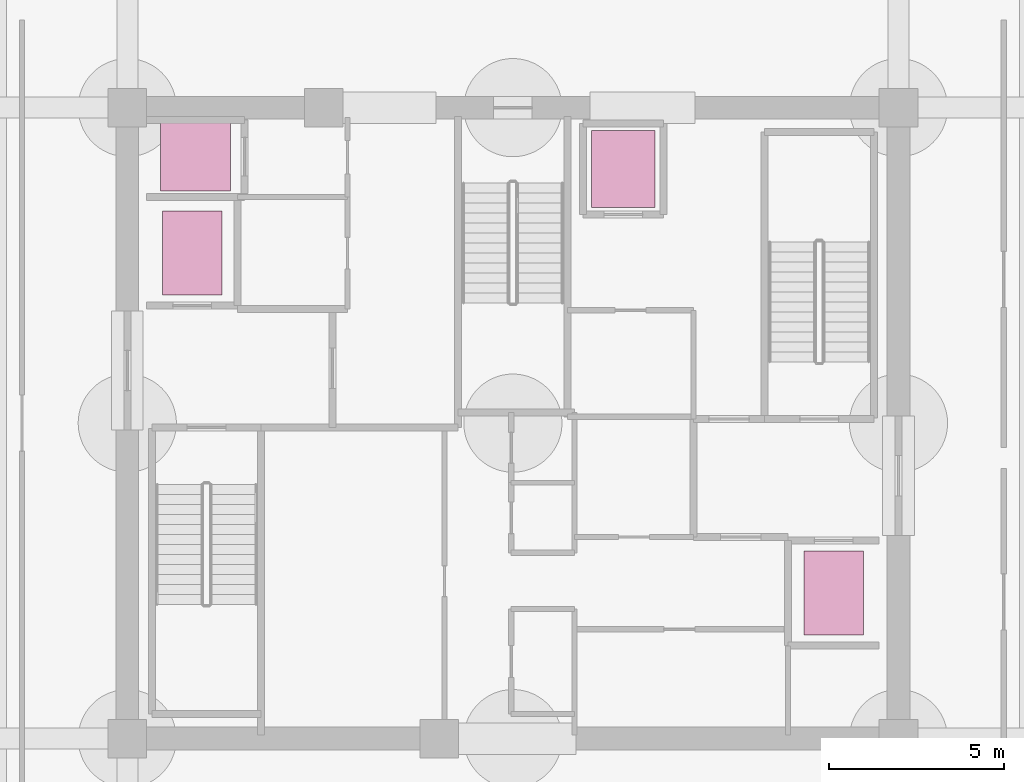
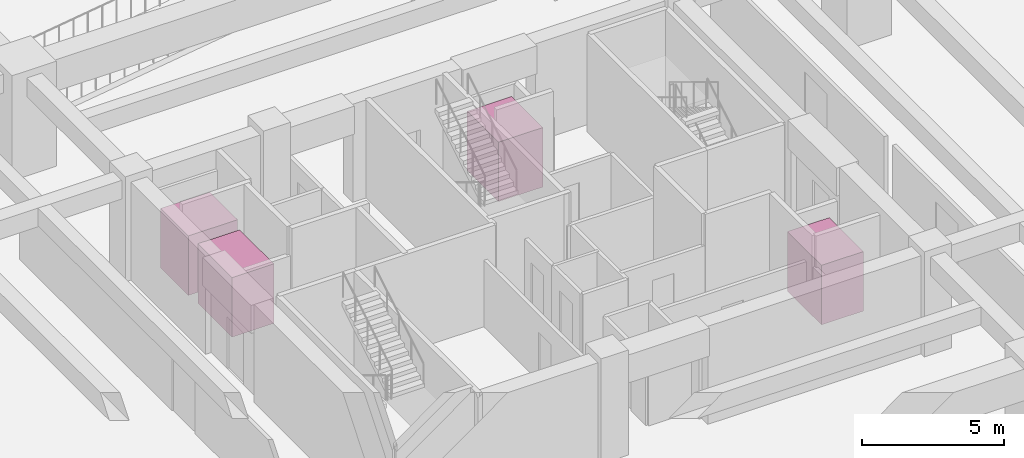
# One storey, part 17 of 17: 4 transport elements.
"""IFC4 building model written with IfcOpenShell, lengths in metres."""

from ifc_helpers import new_model, si_unit, direction, frame, origin, origin_2d, place, context, subcontext, project, spatial, rectangle, extrude, material, type_object, element, save


model = new_model("IFC4")

# Units and contexts
model_context = context("Model", 3, precision=1e-05, world=origin(), true_north=direction((0.0, 1.0)))
body_context = subcontext(model_context, "Body", "Model", "MODEL_VIEW")
ifc_project = project(units=[si_unit("LENGTHUNIT", "METRE"), si_unit("AREAUNIT", "SQUARE_METRE"), si_unit("VOLUMEUNIT", "CUBIC_METRE"), si_unit("PLANEANGLEUNIT", "RADIAN"), si_unit("MASSUNIT", "GRAM", prefix="KILO")], contexts=[model_context])

# Site, building, storey
site_placement = place(None, origin())
site = spatial("IfcSite", under=ifc_project, at=site_placement, CompositionType="ELEMENT")
building_placement = place(site_placement, origin())
building = spatial("IfcBuilding", under=site, at=building_placement, Name="Kovane Verandah Tower", CompositionType="ELEMENT")
storey_placement = place(building_placement, frame((0.0, 0.0, -9.0)))
storey = spatial("IfcBuildingStorey", under=building, at=storey_placement, Name="B2", CompositionType="ELEMENT", Elevation=-9.0)

# Transport elements
ifc_material_1 = material(Name="Stainless Steel Lift Car Assembly", Category="steel")
transport_element_type_1 = type_object("IfcTransportElementType", Name="LF-CAR-1800", PredefinedType="ELEVATOR", material=ifc_material_1)
transport_element_1_placement = place(storey_placement, frame((30.949951171875, 35.10009765625, 0.0), z_axis=(0.0, 0.0, 1.0), x_axis=(1.0, 0.0, 0.0)))
element("IfcTransportElement", 1, at=transport_element_1_placement, inside=storey, type_object=transport_element_type_1, Name="Lift Car GL-01", PredefinedType="ELEVATOR", context=body_context, shape_type="SweptSolid", body=[
    extrude(rectangle(XDim=2.0, YDim=1.949951171875, at=origin_2d()), origin(), (0.0, 0.0, 1.0), 2.550048828125),
])
transport_element_2_placement = place(storey_placement, frame((43.14990234375, 34.75, 0.0), z_axis=(0.0, 0.0, 1.0), x_axis=(1.0, 0.0, 0.0)))
element("IfcTransportElement", 2, at=transport_element_2_placement, inside=storey, type_object=transport_element_type_1, Name="Lift Car SL-01", PredefinedType="ELEVATOR", context=body_context, shape_type="SweptSolid", body=[
    extrude(rectangle(XDim=1.800048828125, YDim=2.199951171875, at=origin_2d()), origin(), (0.0, 0.0, 1.0), 2.550048828125),
])
ifc_material_2 = material(Name="Fireman's Lift Stainless Car Assembly", Category="steel")
transport_element_type_2 = type_object("IfcTransportElementType", Name="LF-CAR-FIRE-2400", PredefinedType="ELEVATOR", material=ifc_material_2)
for number, where, z_axis, x_axis, name in (
    (3, (30.85009765625, 32.35009765625, 0.0), (0.0, 0.0, 1.0), (1.0, 0.0, 0.0), "Lift Car FL-01"),
    (4, (49.14990234375, 22.64990234375, 0.0), (0.0, 0.0, 1.0), (1.0, 0.0, 0.0), "Lift Car FL-02"),
):
    element("IfcTransportElement", number, at=place(storey_placement, frame(where, z_axis=z_axis, x_axis=x_axis)), inside=storey, type_object=transport_element_type_2, Name=name, PredefinedType="ELEVATOR", context=body_context, shape_type="SweptSolid", body=[
        extrude(rectangle(XDim=1.699951171875, YDim=2.39990234375, at=origin_2d()), origin(), (0.0, 0.0, 1.0), 2.550048828125),
    ])

save(model, "model.ifc")
